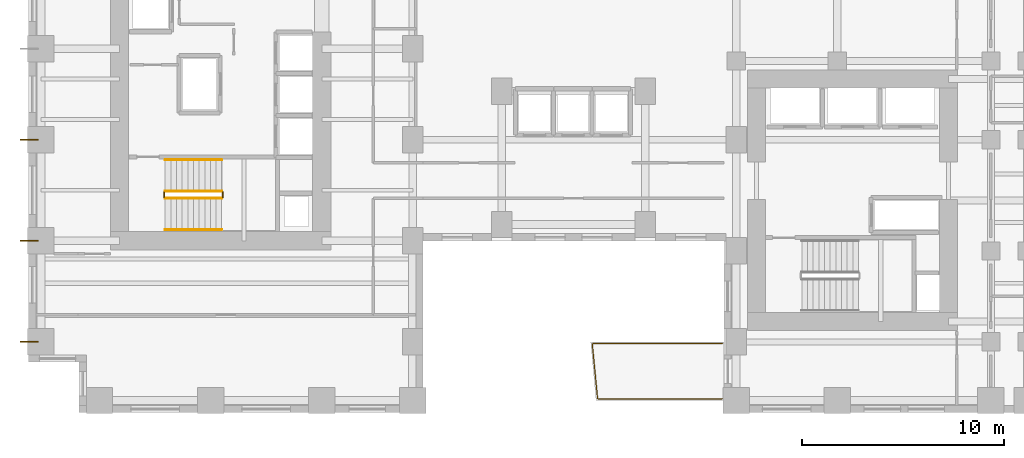
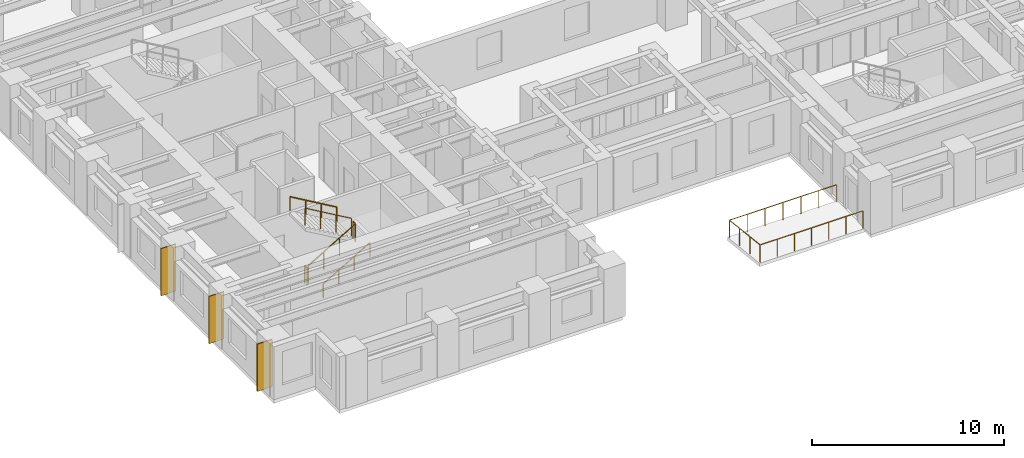
# One storey, part 10 of 12: 7 railings, 3 coverings.
"""IFC4 building model written with IfcOpenShell, lengths in metres."""

from ifc_helpers import new_model, si_unit, direction, frame, origin, origin_2d, place, context, subcontext, project, spatial, rectangle, circle, extrude, source, transform, mapped, material, layer, layer_set, type_object, element, save


model = new_model("IFC4")

# Units and contexts
model_context = context("Model", 3, precision=1e-05, world=origin(), true_north=direction((0.0, 1.0)))
body_context = subcontext(model_context, "Body", "Model", "MODEL_VIEW")
ifc_project = project(units=[si_unit("LENGTHUNIT", "METRE"), si_unit("AREAUNIT", "SQUARE_METRE"), si_unit("VOLUMEUNIT", "CUBIC_METRE"), si_unit("PLANEANGLEUNIT", "RADIAN"), si_unit("MASSUNIT", "GRAM", prefix="KILO")], contexts=[model_context])

# Site, building, storey
site_placement = place(None, origin())
site = spatial("IfcSite", under=ifc_project, at=site_placement, CompositionType="ELEMENT")
building_placement = place(site_placement, origin())
building = spatial("IfcBuilding", under=site, at=building_placement, Name="Kharzan Plaza Tower", CompositionType="ELEMENT")
storey_placement = place(building_placement, frame((0.0, 0.0, 33.300048828125)))
storey = spatial("IfcBuildingStorey", under=building, at=storey_placement, Name="L08", CompositionType="ELEMENT", Elevation=33.300048828125)

# Railings
ifc_material_1 = material(Name="Painted Galvanized Architectural Steel", Category="steel")
ifc_layer_1 = layer(ifc_material_1, 0.074951171875)
ifc_layer_set_1 = layer_set([ifc_layer_1], Name="Painted Galvanized Architectural Steel")
railing_type_1 = type_object("IfcRailingType", Name="RL-GUARD-1120", PredefinedType="BALUSTRADE", material=ifc_layer_set_1)
shared_shape_1 = source(origin(), body_context, "Body", "SweptSolid", [
    extrude(circle(Radius=0.02392578125, at=origin_2d()), frame((0.0, 0.0263671875, 1.09619140625), z_axis=(0.0, 1.0, 0.0), x_axis=(-1.0, 0.0, 0.0)), (0.0, 0.0, 1.0), 0.197021484375),
    extrude(circle(Radius=0.02099609375, at=origin_2d()), origin(), (0.0, 0.0, 1.0), 1.072021484375),
    extrude(circle(Radius=0.02099609375, at=origin_2d()), frame((0.0, 0.25, 0.0)), (0.0, 0.0, 1.0), 1.072021484375),
])
for number, where, name in (
    (1, (9.60009765625, 10.64990234375, 1.800048828125), "L08 ST-1 stair guard 2"),
    (2, (6.699951171875, 10.64990234375, 0.0), "L08 ST-1 stair guard 4"),
):
    element("IfcRailing", number, at=place(storey_placement, frame(where)), inside=storey, type_object=railing_type_1, Name=name, PredefinedType="BALUSTRADE", context=body_context, shape_type="MappedRepresentation", body=[
        mapped(shared_shape_1, transform((0.0, 0.0, 0.0), x_axis=(1.0, 0.0, 0.0), y_axis=(0.0, 1.0, 0.0), z_axis=(0.0, 0.0, 1.0))),
    ])

# Coverings
ifc_material_2 = material(Name="Honed Riyadh Limestone", Category="masonry")
ifc_layer_2 = layer(ifc_material_2, 0.06005859375)
ifc_layer_set_2 = layer_set([ifc_layer_2], Name="Honed Riyadh Limestone")
covering_type = type_object("IfcCoveringType", Name="COV-CLAD-STONE", PredefinedType="CLADDING", material=ifc_layer_set_2)
shared_shape_2 = source(origin(), body_context, "Body", "SweptSolid", [
    extrude(rectangle(XDim=0.06005859375, YDim=0.89990234375, at=origin_2d()), origin(), (0.0, 0.0, 1.0), 3.0),
])
for number, where, z_axis, x_axis, name in (
    (3, (0.02001953125, 13.5, 0.099853515625), (0.0, 0.0, 1.0), (0.0, 1.0, 0.0), "L08 Limestone Pier Rainscreen Cladding TCW-135"),
    (4, (0.02001953125, 3.5, 0.099853515625), (0.0, 0.0, 1.0), (0.0, 1.0, 0.0), "L08 Limestone Pier Rainscreen Cladding TCW-35"),
    (5, (0.02001953125, 8.5, 0.099853515625), (0.0, 0.0, 1.0), (0.0, 1.0, 0.0), "L08 Limestone Pier Rainscreen Cladding TCW-85"),
):
    element("IfcCovering", number, at=place(storey_placement, frame(where, z_axis=z_axis, x_axis=x_axis)), inside=storey, type_object=covering_type, Name=name, PredefinedType="CLADDING", context=body_context, shape_type="MappedRepresentation", body=[
        mapped(shared_shape_2, transform((0.0, 0.0, 0.0), x_axis=(1.0, 0.0, 0.0), y_axis=(0.0, 1.0, 0.0), z_axis=(0.0, 0.0, 1.0))),
    ])

# Railings
shared_shape_3 = source(origin(), body_context, "Body", "SweptSolid", [
    extrude(circle(Radius=0.02392578125, at=origin_2d()), frame((0.02294921875, 0.0, 1.109375), z_axis=(0.863360870873, 0.0, 0.504586966384), x_axis=(0.0, 1.0, 0.0)), (0.0, 0.0, 1.0), 3.190185546875),
    extrude(circle(Radius=0.02099609375, at=origin_2d()), origin(), (0.0, 0.0, 1.0), 1.072021484375),
    extrude(circle(Radius=0.02099609375, at=origin_2d()), frame((0.933349609375, 0.0, 0.54541015625)), (0.0, 0.0, 1.0), 1.072021484375),
    extrude(circle(Radius=0.02099609375, at=origin_2d()), frame((1.86669921875, 0.0, 1.091064453125)), (0.0, 0.0, 1.0), 1.072021484375),
    extrude(circle(Radius=0.02099609375, at=origin_2d()), frame((2.800048828125, 0.0, 1.636474609375)), (0.0, 0.0, 1.0), 1.072021484375),
])
railing_1_placement = place(storey_placement, frame((6.75, 10.60009765625, 0.16357421875)))
element("IfcRailing", 6, at=railing_1_placement, inside=storey, type_object=railing_type_1, Name="L08 ST-1 stair guard 1", PredefinedType="BALUSTRADE", context=body_context, shape_type="MappedRepresentation", body=[
    mapped(shared_shape_3, transform((0.0, 0.0, 0.0), x_axis=(1.0, 0.0, 0.0), y_axis=(0.0, 1.0, 0.0), z_axis=(0.0, 0.0, 1.0))),
])
ifc_material_3 = material(Name="Brushed Stainless Steel", Category="steel")
ifc_layer_3 = layer(ifc_material_3, 0.050048828125)
ifc_layer_set_3 = layer_set([ifc_layer_3], Name="Brushed Stainless Steel")
railing_type_2 = type_object("IfcRailingType", Name="RL-STAIR-HR920", PredefinedType="HANDRAIL", material=ifc_layer_set_3)
shared_shape_4 = source(origin(), body_context, "Body", "SweptSolid", [
    extrude(circle(Radius=0.02392578125, at=origin_2d()), frame((0.02294921875, 0.0, 0.88916015625), z_axis=(0.863360870873, 0.0, 0.504586966384), x_axis=(0.0, 1.0, 0.0)), (0.0, 0.0, 1.0), 3.190185546875),
    extrude(circle(Radius=0.02099609375, at=origin_2d()), origin(), (0.0, 0.0, 1.0), 0.851806640625),
    extrude(circle(Radius=0.02099609375, at=origin_2d()), frame((0.933349609375, 0.0, 0.54541015625)), (0.0, 0.0, 1.0), 0.851806640625),
    extrude(circle(Radius=0.02099609375, at=origin_2d()), frame((1.86669921875, 0.0, 1.091064453125)), (0.0, 0.0, 1.0), 0.851806640625),
    extrude(circle(Radius=0.02099609375, at=origin_2d()), frame((2.800048828125, 0.0, 1.636474609375)), (0.0, 0.0, 1.0), 0.851806640625),
])
railing_2_placement = place(storey_placement, frame((6.75, 9.050048828125, 0.16357421875)))
element("IfcRailing", 7, at=railing_2_placement, inside=storey, type_object=railing_type_2, Name="L08 ST-1 stair handrail 1", PredefinedType="HANDRAIL", context=body_context, shape_type="MappedRepresentation", body=[
    mapped(shared_shape_4, transform((0.0, 0.0, 0.0), x_axis=(1.0, 0.0, 0.0), y_axis=(0.0, 1.0, 0.0), z_axis=(0.0, 0.0, 1.0))),
])
shared_shape_5 = source(origin(), body_context, "Body", "SweptSolid", [
    extrude(circle(Radius=0.02392578125, at=origin_2d()), frame((-0.02294921875, 0.0, 1.109375), z_axis=(-0.863393664356, 0.0, 0.504530851732), x_axis=(0.0, -1.0, 0.0)), (0.0, 0.0, 1.0), 3.190185546875),
    extrude(circle(Radius=0.02099609375, at=origin_2d()), origin(), (0.0, 0.0, 1.0), 1.072021484375),
    extrude(circle(Radius=0.02099609375, at=origin_2d()), frame((-0.933349609375, 0.0, 0.54541015625)), (0.0, 0.0, 1.0), 1.072021484375),
    extrude(circle(Radius=0.02099609375, at=origin_2d()), frame((-1.86669921875, 0.0, 1.0908203125)), (0.0, 0.0, 1.0), 1.072021484375),
    extrude(circle(Radius=0.02099609375, at=origin_2d()), frame((-2.800048828125, 0.0, 1.63623046875)), (0.0, 0.0, 1.0), 1.072021484375),
])
railing_3_placement = place(storey_placement, frame((9.550048828125, 10.949951171875, 1.963623046875)))
element("IfcRailing", 8, at=railing_3_placement, inside=storey, type_object=railing_type_1, Name="L08 ST-1 stair guard 3", PredefinedType="BALUSTRADE", context=body_context, shape_type="MappedRepresentation", body=[
    mapped(shared_shape_5, transform((0.0, 0.0, 0.0), x_axis=(1.0, 0.0, 0.0), y_axis=(0.0, 1.0, 0.0), z_axis=(0.0, 0.0, 1.0))),
])
shared_shape_6 = source(origin(), body_context, "Body", "SweptSolid", [
    extrude(circle(Radius=0.02392578125, at=origin_2d()), frame((-0.02294921875, 0.0, 0.88916015625), z_axis=(-0.863393664356, 0.0, 0.504530851732), x_axis=(0.0, -1.0, 0.0)), (0.0, 0.0, 1.0), 3.190185546875),
    extrude(circle(Radius=0.02099609375, at=origin_2d()), origin(), (0.0, 0.0, 1.0), 0.851806640625),
    extrude(circle(Radius=0.02099609375, at=origin_2d()), frame((-0.933349609375, 0.0, 0.54541015625)), (0.0, 0.0, 1.0), 0.851806640625),
    extrude(circle(Radius=0.02099609375, at=origin_2d()), frame((-1.86669921875, 0.0, 1.0908203125)), (0.0, 0.0, 1.0), 0.851806640625),
    extrude(circle(Radius=0.02099609375, at=origin_2d()), frame((-2.800048828125, 0.0, 1.63623046875)), (0.0, 0.0, 1.0), 0.851806640625),
])
railing_4_placement = place(storey_placement, frame((9.550048828125, 12.5, 1.963623046875)))
element("IfcRailing", 9, at=railing_4_placement, inside=storey, type_object=railing_type_2, Name="L08 ST-1 stair handrail 2", PredefinedType="HANDRAIL", context=body_context, shape_type="MappedRepresentation", body=[
    mapped(shared_shape_6, transform((0.0, 0.0, 0.0), x_axis=(1.0, 0.0, 0.0), y_axis=(0.0, 1.0, 0.0), z_axis=(0.0, 0.0, 1.0))),
])
shared_shape_7 = source(origin(), body_context, "Body", "SweptSolid", [
    extrude(circle(Radius=0.02392578125, at=origin_2d()), frame((-0.0263671875, 0.0, 1.09619140625), z_axis=(-1.0, 0.0, 0.0), x_axis=(0.0, -1.0, 0.0)), (0.0, 0.0, 1.0), 6.123046875),
    extrude(circle(Radius=0.02392578125, at=origin_2d()), frame((-6.178466796875, 0.0263671875, 1.09619140625), z_axis=(-0.095964210763, 0.995384785022, 0.0), x_axis=(-0.995384785022, -0.095964210763, 0.0)), (0.0, 0.0, 1.0), 2.69970703125),
    extrude(circle(Radius=0.02392578125, at=origin_2d()), frame((-6.413818359375, 2.739990234375, 1.09619140625), z_axis=(1.0, 0.0, 0.0), x_axis=(0.0, 1.0, 0.0)), (0.0, 0.0, 1.0), 6.38720703125),
    extrude(circle(Radius=0.02099609375, at=origin_2d()), origin(), (0.0, 0.0, 1.0), 1.072021484375),
    extrude(circle(Radius=0.02099609375, at=origin_2d()), frame((-1.029296875, 0.0, 0.0)), (0.0, 0.0, 1.0), 1.072021484375),
    extrude(circle(Radius=0.02099609375, at=origin_2d()), frame((-2.05859375, 0.0, 0.0)), (0.0, 0.0, 1.0), 1.072021484375),
    extrude(circle(Radius=0.02099609375, at=origin_2d()), frame((-3.087890625, 0.0, 0.0)), (0.0, 0.0, 1.0), 1.072021484375),
    extrude(circle(Radius=0.02099609375, at=origin_2d()), frame((-4.117431640625, 0.0, 0.0)), (0.0, 0.0, 1.0), 1.072021484375),
    extrude(circle(Radius=0.02099609375, at=origin_2d()), frame((-5.146728515625, 0.0, 0.0)), (0.0, 0.0, 1.0), 1.072021484375),
    extrude(circle(Radius=0.02099609375, at=origin_2d()), frame((-6.176025390625, 0.0, 0.0)), (0.0, 0.0, 1.0), 1.072021484375),
    extrude(circle(Radius=0.02099609375, at=origin_2d()), frame((-6.26416015625, 0.913330078125, 0.0)), (0.0, 0.0, 1.0), 1.072021484375),
    extrude(circle(Radius=0.02099609375, at=origin_2d()), frame((-6.35205078125, 1.82666015625, 0.0)), (0.0, 0.0, 1.0), 1.072021484375),
    extrude(circle(Radius=0.02099609375, at=origin_2d()), frame((-6.440185546875, 2.739990234375, 0.0)), (0.0, 0.0, 1.0), 1.072021484375),
    extrude(circle(Radius=0.02099609375, at=origin_2d()), frame((-5.36669921875, 2.739990234375, 0.0)), (0.0, 0.0, 1.0), 1.072021484375),
    extrude(circle(Radius=0.02099609375, at=origin_2d()), frame((-4.29345703125, 2.739990234375, 0.0)), (0.0, 0.0, 1.0), 1.072021484375),
    extrude(circle(Radius=0.02099609375, at=origin_2d()), frame((-3.22021484375, 2.739990234375, 0.0)), (0.0, 0.0, 1.0), 1.072021484375),
    extrude(circle(Radius=0.02099609375, at=origin_2d()), frame((-2.146728515625, 2.739990234375, 0.0)), (0.0, 0.0, 1.0), 1.072021484375),
    extrude(circle(Radius=0.02099609375, at=origin_2d()), frame((-1.0732421875, 2.739990234375, 0.0)), (0.0, 0.0, 1.0), 1.072021484375),
    extrude(circle(Radius=0.02099609375, at=origin_2d()), frame((0.0, 2.739990234375, 0.0)), (0.0, 0.0, 1.0), 1.072021484375),
])
railing_5_placement = place(storey_placement, frame((34.320068359375, 0.679931640625, 0.0)))
element("IfcRailing", 10, at=railing_5_placement, inside=storey, type_object=railing_type_1, Name="L08 Cantilevered Sky-Terrace Tray Balustrade", PredefinedType="BALUSTRADE", context=body_context, shape_type="MappedRepresentation", body=[
    mapped(shared_shape_7, transform((0.0, 0.0, 0.0), x_axis=(1.0, 0.0, 0.0), y_axis=(0.0, 1.0, 0.0), z_axis=(0.0, 0.0, 1.0))),
])

save(model, "model.ifc")
